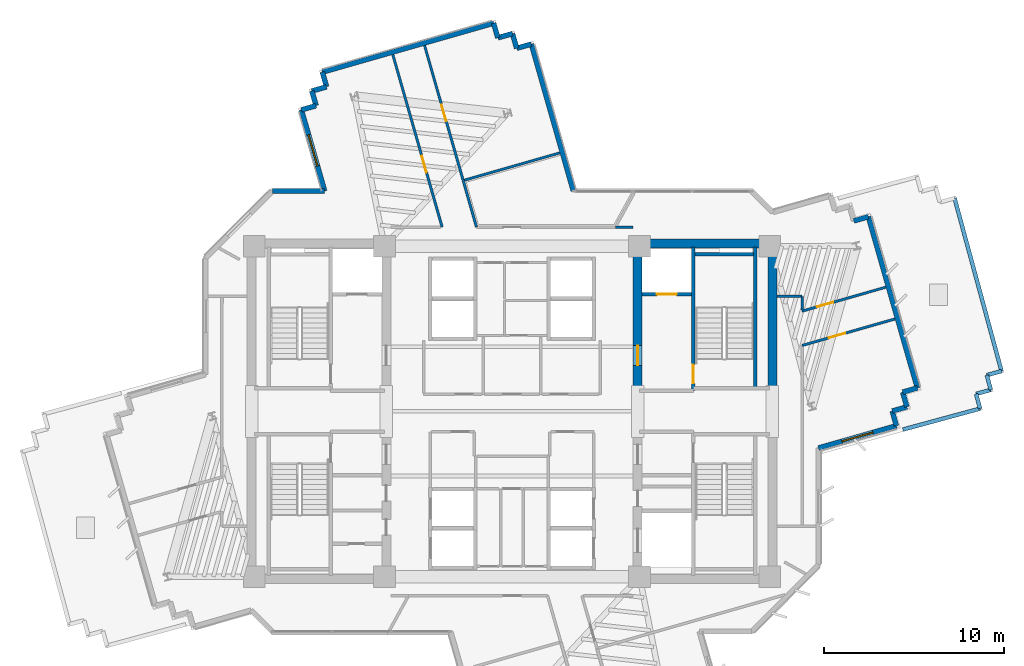
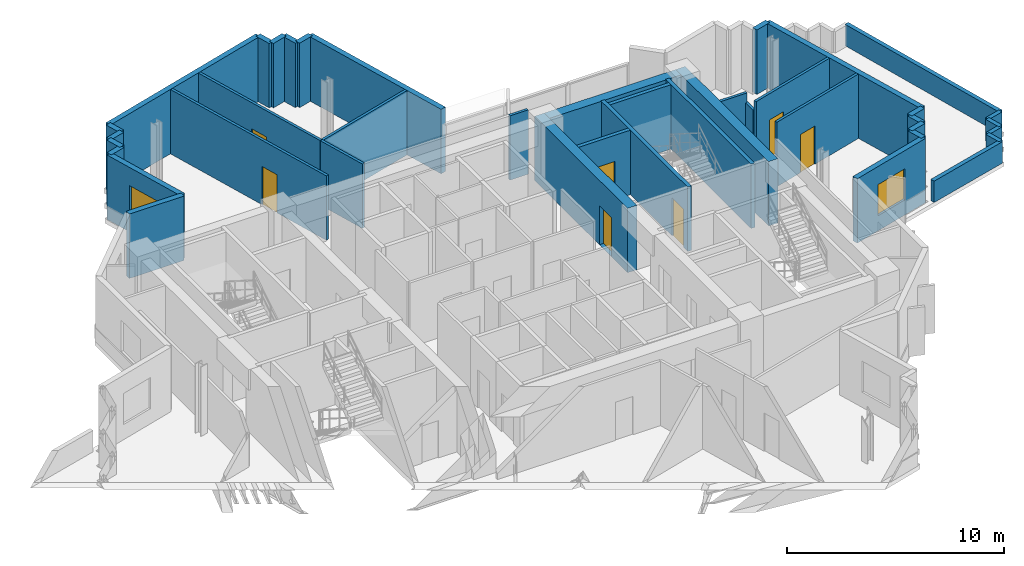
# One storey, part 10 of 14: 41 walls, 7 doors, 2 windows, 9 openings.
"""IFC4 building model written with IfcOpenShell, lengths in metres."""

from ifc_helpers import new_model, si_unit, direction, frame, frame_2d, origin, place, context, subcontext, project, spatial, rectangle, extrude, source, transform, mapped, material, layer, layer_set, type_object, element, fill, save


model = new_model("IFC4")

# Units and contexts
model_context = context("Model", 3, precision=1e-05, world=origin(), true_north=direction((0.0, 1.0)))
body_context = subcontext(model_context, "Body", "Model", "MODEL_VIEW")
ifc_project = project(units=[si_unit("LENGTHUNIT", "METRE"), si_unit("AREAUNIT", "SQUARE_METRE"), si_unit("VOLUMEUNIT", "CUBIC_METRE"), si_unit("PLANEANGLEUNIT", "RADIAN"), si_unit("MASSUNIT", "GRAM", prefix="KILO")], contexts=[model_context])

# Site, building, storey
site_placement = place(None, origin())
site = spatial("IfcSite", under=ifc_project, at=site_placement, CompositionType="ELEMENT")
building_placement = place(site_placement, origin())
building = spatial("IfcBuilding", under=site, at=building_placement, Name="Zahravan Cultural Tower", CompositionType="ELEMENT")
storey_placement = place(building_placement, frame((0.0, 0.0, 201.89990234375)))
storey = spatial("IfcBuildingStorey", under=building, at=storey_placement, Name="L47", CompositionType="ELEMENT", Elevation=201.89990234375)

# Wall, opening, door
ifc_material_1 = material(Name="Concrete C60/75", Category="concrete")
ifc_layer_1 = layer(ifc_material_1, 0.5)
ifc_layer_set_1 = layer_set([ifc_layer_1], Name="Concrete C60/75")
wall_type_1 = type_object("IfcWallType", Name="CW-SHEAR-500-C60", PredefinedType="SHEAR", material=ifc_layer_set_1)
wall_1_placement = place(storey_placement, frame((43.0, 28.050048828125, 0.0), z_axis=(0.0, 0.0, 1.0), x_axis=(0.0, 1.0, 0.0)))
wall_1 = element("IfcWall", 1, at=wall_1_placement, inside=storey, type_object=wall_type_1, Name="L47 Core Shear Wall CW-E-WN-L47", PredefinedType="SHEAR", context=body_context, shape_type="SweptSolid", body=[
    extrude(rectangle(XDim=8.550048828125, YDim=0.5, at=frame_2d((4.27490234375, 0.0))), origin(), (0.0, 0.0, 1.0), 3.6201171875),
])
opening_1_placement = place(wall_1_placement, frame((1.5, 0.0, 0.0)))
opening_1 = element("IfcOpeningElement", 2, at=opening_1_placement, cuts=wall_1, Name="Opening D-L47-06", PredefinedType="OPENING", context=body_context, shape_type="SweptSolid", body=[
    extrude(rectangle(XDim=1.10009765625, YDim=2.199951171875, at=frame_2d((0.550048828125, 1.10009765625))), frame((0.0, 0.260009765625, 0.0), z_axis=(0.0, -1.0, 0.0), x_axis=(1.0, 0.0, 0.0)), (0.0, 0.0, 1.0), 0.52001953125),
])
ifc_material_2 = material(Name="Steel ASTM A572 Grade 50", Category="steel")
door_type_1 = type_object("IfcDoorType", Name="DR-LOBBY-1100", OperationType="NOTDEFINED", PredefinedType="DOOR", material=ifc_material_2)
shared_shape_1 = source(origin(), body_context, "Body", "SweptSolid", [
    extrude(rectangle(XDim=1.10009765625, YDim=2.199951171875, at=frame_2d((0.550048828125, 1.10009765625))), frame((0.0, 0.02490234375, 0.0), z_axis=(0.0, -1.0, 0.0), x_axis=(1.0, 0.0, 0.0)), (0.0, 0.0, 1.0), 0.050048828125),
])
door_1_placement = place(opening_1_placement, origin())
door_1 = element("IfcDoor", 3, at=door_1_placement, inside=storey, type_object=door_type_1, Name="L47 Door D-L47-06", OperationType="SINGLE_SWING_RIGHT", OverallHeight=2.199951171875, OverallWidth=1.10009765625, PredefinedType="DOOR", context=body_context, shape_type="MappedRepresentation", body=[
    mapped(shared_shape_1, transform((0.0, 0.0, 0.0), x_axis=(1.0, 0.0, 0.0), y_axis=(0.0, 1.0, 0.0), z_axis=(0.0, 0.0, 1.0), scale=1.0)),
])
fill(opening_1, door_1)

# Wall, opening, window
ifc_material_3 = material(Name="Precast concrete C40/50", Category="concrete")
ifc_layer_2 = layer(ifc_material_3, 0.280029296875)
ifc_layer_set_2 = layer_set([ifc_layer_2], Name="Precast concrete C40/50")
wall_type_2 = type_object("IfcWallType", Name="EW-TC-280", PredefinedType="SOLIDWALL", material=ifc_layer_set_2)
wall_2_placement = place(storey_placement, frame((57.406494140625, 26.195068359375, 0.0), z_axis=(0.0, 0.0, 1.0), x_axis=(-0.961446468673, -0.274992159663, 0.0)))
wall_2 = element("IfcWall", 4, at=wall_2_placement, inside=storey, type_object=wall_type_2, Name="L47 Exterior Masonry Frame Wall 11", PredefinedType="SOLIDWALL", context=body_context, shape_type="SweptSolid", body=[
    extrude(rectangle(XDim=4.520751953125, YDim=0.280029296875, at=frame_2d((2.26025390625, 0.0))), origin(), (0.0, 0.0, 1.0), 3.6201171875),
])
opening_2_placement = place(wall_2_placement, frame((1.360107421875, 0.0, 0.85009765625)))
opening_2 = element("IfcOpeningElement", 5, at=opening_2_placement, cuts=wall_2, Name="Opening WN-02", PredefinedType="OPENING", context=body_context, shape_type="SweptSolid", body=[
    extrude(rectangle(XDim=1.800048828125, YDim=1.75, at=frame_2d((0.89990234375, 0.875))), frame((0.0, 0.14990234375, 0.0), z_axis=(0.0, -1.0, 0.0), x_axis=(1.0, 0.0, 0.0)), (0.0, 0.0, 1.0), 0.300048828125),
])
ifc_material_4 = material(Name="Low-E solar-control double glazing", Category="glass")
window_type = type_object("IfcWindowType", Name="WN-REC-1800X1750", PartitioningType="DOUBLE_PANEL_VERTICAL", PredefinedType="WINDOW", material=ifc_material_4)
shared_shape_2 = source(origin(), body_context, "Body", "SweptSolid", [
    extrude(rectangle(XDim=1.800048828125, YDim=1.75, at=frame_2d((0.89990234375, 0.875))), frame((0.0, 0.030029296875, 0.0), z_axis=(0.0, -1.0, 0.0), x_axis=(1.0, 0.0, 0.0)), (0.0, 0.0, 1.0), 0.06005859375),
])
window_1_placement = place(opening_2_placement, origin())
window_1 = element("IfcWindow", 6, at=window_1_placement, inside=storey, type_object=window_type, Name="L47 Recessed Solar Window 01", OverallHeight=1.75, OverallWidth=1.800048828125, PartitioningType="DOUBLE_PANEL_VERTICAL", PredefinedType="WINDOW", context=body_context, shape_type="MappedRepresentation", body=[
    mapped(shared_shape_2, transform((0.0, 0.0, 0.0), x_axis=(1.0, 0.0, 0.0), y_axis=(0.0, 1.0, 0.0), z_axis=(0.0, 0.0, 1.0), scale=1.0)),
])
fill(opening_2, window_1)

wall_3_placement = place(storey_placement, frame((25.56689453125, 39.260009765625, 0.0), z_axis=(0.0, 0.0, 1.0), x_axis=(-0.274981611661, 0.961449485542, 0.0)))
wall_3 = element("IfcWall", 7, at=wall_3_placement, inside=storey, type_object=wall_type_2, Name="L47 Exterior Masonry Frame Wall 41", PredefinedType="SOLIDWALL", context=body_context, shape_type="SweptSolid", body=[
    extrude(rectangle(XDim=4.703857421875, YDim=0.280029296875, at=frame_2d((2.35205078125, 0.0))), origin(), (0.0, 0.0, 1.0), 3.6201171875),
])
opening_3_placement = place(wall_3_placement, frame((1.451904296875, 0.0, 0.85009765625)))
opening_3 = element("IfcOpeningElement", 8, at=opening_3_placement, cuts=wall_3, Name="Opening WN-02", PredefinedType="OPENING", context=body_context, shape_type="SweptSolid", body=[
    extrude(rectangle(XDim=1.800048828125, YDim=1.75, at=frame_2d((0.89990234375, 0.875))), frame((0.0, 0.14990234375, 0.0), z_axis=(0.0, -1.0, 0.0), x_axis=(1.0, 0.0, 0.0)), (0.0, 0.0, 1.0), 0.300048828125),
])
window_2_placement = place(opening_3_placement, origin())
window_2 = element("IfcWindow", 9, at=window_2_placement, inside=storey, type_object=window_type, Name="L47 Recessed Solar Window 08", OverallHeight=1.75, OverallWidth=1.800048828125, PartitioningType="DOUBLE_PANEL_VERTICAL", PredefinedType="WINDOW", context=body_context, shape_type="MappedRepresentation", body=[
    mapped(shared_shape_2, transform((0.0, 0.0, 0.0), x_axis=(1.0, 0.0, 0.0), y_axis=(0.0, 1.0, 0.0), z_axis=(0.0, 0.0, 1.0), scale=1.0)),
])
fill(opening_3, window_2)

# Wall, opening, door
ifc_material_5 = material(Name="Gypsum plasterboard partition")
ifc_layer_3 = layer(ifc_material_5, 0.139892578125)
ifc_layer_set_3 = layer_set([ifc_layer_3], Name="Gypsum plasterboard partition")
wall_type_3 = type_object("IfcWallType", Name="W-PART-140", PredefinedType="PARTITIONING", material=ifc_layer_set_3)
wall_4_placement = place(storey_placement, frame((33.277099609375, 39.8671875, 0.0), z_axis=(0.0, 0.0, 1.0), x_axis=(-0.274985856522, 0.96144827147, 0.0)))
wall_4 = element("IfcWall", 10, at=wall_4_placement, inside=storey, type_object=wall_type_3, Name="L47 Interior Wall 102", PredefinedType="PARTITIONING", context=body_context, shape_type="SweptSolid", body=[
    extrude(rectangle(XDim=7.795166015625, YDim=0.139892578125, at=frame_2d((3.8974609375, 0.0))), origin(), (0.0, 0.0, 1.0), 3.6201171875),
])
opening_4_placement = place(wall_4_placement, frame((3.422607421875, 0.0, 0.0)))
opening_4 = element("IfcOpeningElement", 11, at=opening_4_placement, cuts=wall_4, Name="Opening D-L47-26", PredefinedType="OPENING", context=body_context, shape_type="SweptSolid", body=[
    extrude(rectangle(XDim=0.949951171875, YDim=2.14990234375, at=frame_2d((0.47509765625, 1.074951171875))), frame((0.0, 0.079833984375, 0.0), z_axis=(0.0, -1.0, 0.0), x_axis=(1.0, 0.0, 0.0)), (0.0, 0.0, 1.0), 0.159912109375),
])
ifc_material_6 = material(Name="Anodised bronze-aluminium mullion", Category="aluminium")
door_type_2 = type_object("IfcDoorType", Name="DR-ROOM-950", OperationType="NOTDEFINED", PredefinedType="DOOR", material=ifc_material_6)
shared_shape_3 = source(origin(), body_context, "Body", "SweptSolid", [
    extrude(rectangle(XDim=0.949951171875, YDim=2.14990234375, at=frame_2d((0.47509765625, 1.074951171875))), frame((0.0, 0.02490234375, 0.0), z_axis=(0.0, -1.0, 0.0), x_axis=(1.0, 0.0, 0.0)), (0.0, 0.0, 1.0), 0.050048828125),
])
door_2_placement = place(opening_4_placement, origin())
door_2 = element("IfcDoor", 12, at=door_2_placement, inside=storey, type_object=door_type_2, Name="L47 Door D-L47-26", OperationType="SINGLE_SWING_RIGHT", OverallHeight=2.14990234375, OverallWidth=0.949951171875, PredefinedType="DOOR", context=body_context, shape_type="MappedRepresentation", body=[
    mapped(shared_shape_3, transform((0.0, 0.0, 0.0), x_axis=(1.0, 0.0, 0.0), y_axis=(0.0, 1.0, 0.0), z_axis=(0.0, 0.0, 1.0), scale=1.0)),
])
fill(opening_4, door_2)

wall_5_placement = place(storey_placement, frame((52.14990234375, 30.661865234375, 0.0), z_axis=(0.0, 0.0, 1.0), x_axis=(0.961455430103, 0.274960826164, 0.0)))
wall_5 = element("IfcWall", 13, at=wall_5_placement, inside=storey, type_object=wall_type_3, Name="L47 Interior Wall 110", PredefinedType="PARTITIONING", context=body_context, shape_type="SweptSolid", body=[
    extrude(rectangle(XDim=5.380859375, YDim=0.139892578125, at=frame_2d((2.6904296875, 0.0))), origin(), (0.0, 0.0, 1.0), 3.6201171875),
])
opening_5_placement = place(wall_5_placement, frame((1.55078125, 0.0, 0.0)))
opening_5 = element("IfcOpeningElement", 14, at=opening_5_placement, cuts=wall_5, Name="Opening D-L47-23", PredefinedType="OPENING", context=body_context, shape_type="SweptSolid", body=[
    extrude(rectangle(XDim=0.949951171875, YDim=2.14990234375, at=frame_2d((0.47509765625, 1.074951171875))), frame((0.0, 0.079833984375, 0.0), z_axis=(0.0, -1.0, 0.0), x_axis=(1.0, 0.0, 0.0)), (0.0, 0.0, 1.0), 0.159912109375),
])
door_3_placement = place(opening_5_placement, origin())
door_3 = element("IfcDoor", 15, at=door_3_placement, inside=storey, type_object=door_type_2, Name="L47 Door D-L47-23", OperationType="SINGLE_SWING_LEFT", OverallHeight=2.14990234375, OverallWidth=0.949951171875, PredefinedType="DOOR", context=body_context, shape_type="MappedRepresentation", body=[
    mapped(shared_shape_3, transform((0.0, 0.0, 0.0), x_axis=(1.0, 0.0, 0.0), y_axis=(0.0, 1.0, 0.0), z_axis=(0.0, 0.0, 1.0), scale=1.0)),
])
fill(opening_5, door_3)

wall_6_placement = place(storey_placement, frame((56.8173828125, 33.910400390625, 0.0), z_axis=(0.0, 0.0, 1.0), x_axis=(-0.961461296262, -0.274940313143, 0.0)))
wall_6 = element("IfcWall", 16, at=wall_6_placement, inside=storey, type_object=wall_type_3, Name="L47 Interior Wall 112", PredefinedType="PARTITIONING", context=body_context, shape_type="SweptSolid", body=[
    extrude(rectangle(XDim=4.8544921875, YDim=0.139892578125, at=frame_2d((2.42724609375, 0.0))), origin(), (0.0, 0.0, 1.0), 3.6201171875),
])
opening_6_placement = place(wall_6_placement, frame((3.04541015625, 0.0, 0.0)))
opening_6 = element("IfcOpeningElement", 17, at=opening_6_placement, cuts=wall_6, Name="Opening D-L47-24", PredefinedType="OPENING", context=body_context, shape_type="SweptSolid", body=[
    extrude(rectangle(XDim=0.949951171875, YDim=2.14990234375, at=frame_2d((0.47509765625, 1.074951171875))), frame((0.0, 0.079833984375, 0.0), z_axis=(0.0, -1.0, 0.0), x_axis=(1.0, 0.0, 0.0)), (0.0, 0.0, 1.0), 0.159912109375),
])
door_4_placement = place(opening_6_placement, origin())
door_4 = element("IfcDoor", 18, at=door_4_placement, inside=storey, type_object=door_type_2, Name="L47 Door D-L47-24", OperationType="SINGLE_SWING_RIGHT", OverallHeight=2.14990234375, OverallWidth=0.949951171875, PredefinedType="DOOR", context=body_context, shape_type="MappedRepresentation", body=[
    mapped(shared_shape_3, transform((0.0, 0.0, 0.0), x_axis=(1.0, 0.0, 0.0), y_axis=(0.0, 1.0, 0.0), z_axis=(0.0, 0.0, 1.0), scale=1.0)),
])
fill(opening_6, door_4)

wall_7_placement = place(storey_placement, frame((29.364501953125, 46.85595703125, 0.0), z_axis=(0.0, 0.0, 1.0), x_axis=(0.274969885882, -0.961452839123, 0.0)))
wall_7 = element("IfcWall", 19, at=wall_7_placement, inside=storey, type_object=wall_type_3, Name="L47 Interior Wall 120", PredefinedType="PARTITIONING", context=body_context, shape_type="SweptSolid", body=[
    extrude(rectangle(XDim=9.980712890625, YDim=0.139892578125, at=frame_2d((4.990234375, 0.0))), origin(), (0.0, 0.0, 1.0), 3.6201171875),
])
opening_7_placement = place(wall_7_placement, frame((5.869873046875, 0.0, 0.0)))
opening_7 = element("IfcOpeningElement", 20, at=opening_7_placement, cuts=wall_7, Name="Opening D-L47-27", PredefinedType="OPENING", context=body_context, shape_type="SweptSolid", body=[
    extrude(rectangle(XDim=0.949951171875, YDim=2.14990234375, at=frame_2d((0.47509765625, 1.074951171875))), frame((0.0, 0.079833984375, 0.0), z_axis=(0.0, -1.0, 0.0), x_axis=(1.0, 0.0, 0.0)), (0.0, 0.0, 1.0), 0.159912109375),
])
door_5_placement = place(opening_7_placement, origin())
door_5 = element("IfcDoor", 21, at=door_5_placement, inside=storey, type_object=door_type_2, Name="L47 Door D-L47-27", OperationType="SINGLE_SWING_LEFT", OverallHeight=2.14990234375, OverallWidth=0.949951171875, PredefinedType="DOOR", context=body_context, shape_type="MappedRepresentation", body=[
    mapped(shared_shape_3, transform((0.0, 0.0, 0.0), x_axis=(1.0, 0.0, 0.0), y_axis=(0.0, 1.0, 0.0), z_axis=(0.0, 0.0, 1.0), scale=1.0)),
])
fill(opening_7, door_5)

ifc_material_7 = material(Name="Concrete C45/55", Category="concrete")
ifc_layer_4 = layer(ifc_material_7, 0.199951171875)
ifc_layer_set_4 = layer_set([ifc_layer_4], Name="Concrete C45/55")
wall_type_4 = type_object("IfcWallType", Name="W-SHAFT-200", PredefinedType="SOLIDWALL", material=ifc_layer_set_4)
wall_8_placement = place(storey_placement, frame((46.10009765625, 28.14990234375, 0.0), z_axis=(0.0, 0.0, 1.0), x_axis=(0.0, 1.0, 0.0)))
wall_8 = element("IfcWall", 22, at=wall_8_placement, inside=storey, type_object=wall_type_4, Name="L47 Interior Wall 008", PredefinedType="SOLIDWALL", context=body_context, shape_type="SweptSolid", body=[
    extrude(rectangle(XDim=8.0, YDim=0.199951171875, at=frame_2d((4.0, 0.0))), origin(), (0.0, 0.0, 1.0), 3.6201171875),
])
opening_8_placement = place(wall_8_placement, frame((0.39990234375, 0.0, 0.0)))
opening_8 = element("IfcOpeningElement", 23, at=opening_8_placement, cuts=wall_8, Name="Opening D-L47-02", PredefinedType="OPENING", context=body_context, shape_type="SweptSolid", body=[
    extrude(rectangle(XDim=1.050048828125, YDim=2.14990234375, at=frame_2d((0.52490234375, 1.074951171875))), frame((0.0, 0.10986328125, 0.0), z_axis=(0.0, -1.0, 0.0), x_axis=(1.0, 0.0, 0.0)), (0.0, 0.0, 1.0), 0.219970703125),
])
door_type_3 = type_object("IfcDoorType", Name="DR-STAIR-1050", OperationType="NOTDEFINED", PredefinedType="DOOR", material=ifc_material_2)
shared_shape_4 = source(origin(), body_context, "Body", "SweptSolid", [
    extrude(rectangle(XDim=1.050048828125, YDim=2.14990234375, at=frame_2d((0.52490234375, 1.074951171875))), frame((0.0, 0.02490234375, 0.0), z_axis=(0.0, -1.0, 0.0), x_axis=(1.0, 0.0, 0.0)), (0.0, 0.0, 1.0), 0.050048828125),
])
door_6_placement = place(opening_8_placement, origin())
door_6 = element("IfcDoor", 24, at=door_6_placement, inside=storey, type_object=door_type_3, Name="L47 Door D-L47-02", OperationType="SINGLE_SWING_RIGHT", OverallHeight=2.14990234375, OverallWidth=1.050048828125, PredefinedType="DOOR", context=body_context, shape_type="MappedRepresentation", body=[
    mapped(shared_shape_4, transform((0.0, 0.0, 0.0), x_axis=(1.0, 0.0, 0.0), y_axis=(0.0, 1.0, 0.0), z_axis=(0.0, 0.0, 1.0), scale=1.0)),
])
fill(opening_8, door_6)

wall_9_placement = place(storey_placement, frame((43.25, 33.52001953125, 0.0), z_axis=(0.0, 0.0, 1.0), x_axis=(1.0, 0.0, 0.0)))
wall_9 = element("IfcWall", 25, at=wall_9_placement, inside=storey, type_object=wall_type_4, Name="L47 Interior Wall 022", PredefinedType="SOLIDWALL", context=body_context, shape_type="SweptSolid", body=[
    extrude(rectangle(XDim=2.75, YDim=0.199951171875, at=frame_2d((1.375, 0.0))), origin(), (0.0, 0.0, 1.0), 3.6201171875),
])
opening_9_placement = place(wall_9_placement, frame((0.820068359375, 0.0, 0.0)))
opening_9 = element("IfcOpeningElement", 26, at=opening_9_placement, cuts=wall_9, Name="Opening LD-L47-02", PredefinedType="OPENING", context=body_context, shape_type="SweptSolid", body=[
    extrude(rectangle(XDim=1.10009765625, YDim=2.14990234375, at=frame_2d((0.550048828125, 1.074951171875))), frame((0.0, 0.10986328125, 0.0), z_axis=(0.0, -1.0, 0.0), x_axis=(1.0, 0.0, 0.0)), (0.0, 0.0, 1.0), 0.219970703125),
])
door_type_4 = type_object("IfcDoorType", Name="DR-LIFT-1100", OperationType="DOUBLE_DOOR_SLIDING", PredefinedType="DOOR", material=ifc_material_2)
shared_shape_5 = source(origin(), body_context, "Body", "SweptSolid", [
    extrude(rectangle(XDim=1.10009765625, YDim=2.14990234375, at=frame_2d((0.550048828125, 1.074951171875))), frame((0.0, 0.02490234375, 0.0), z_axis=(0.0, -1.0, 0.0), x_axis=(1.0, 0.0, 0.0)), (0.0, 0.0, 1.0), 0.050048828125),
])
door_7_placement = place(opening_9_placement, origin())
door_7 = element("IfcDoor", 27, at=door_7_placement, inside=storey, type_object=door_type_4, Name="L47 Door LD-L47-02", OperationType="DOUBLE_DOOR_SLIDING", OverallHeight=2.14990234375, OverallWidth=1.10009765625, PredefinedType="DOOR", context=body_context, shape_type="MappedRepresentation", body=[
    mapped(shared_shape_5, transform((0.0, 0.0, 0.0), x_axis=(1.0, 0.0, 0.0), y_axis=(0.0, 1.0, 0.0), z_axis=(0.0, 0.0, 1.0), scale=1.0)),
])
fill(opening_9, door_7)

# Walls
shared_shape_6 = source(origin(), body_context, "Body", "SweptSolid", [
    extrude(rectangle(XDim=8.550048828125, YDim=0.5, at=frame_2d((4.27490234375, 0.0))), origin(), (0.0, 0.0, 1.0), 3.6201171875),
])
wall_10_placement = place(storey_placement, frame((50.5, 28.050048828125, 0.0), z_axis=(0.0, 0.0, 1.0), x_axis=(0.0, 1.0, 0.0)))
element("IfcWall", 28, at=wall_10_placement, inside=storey, type_object=wall_type_1, Name="L47 Core Shear Wall CW-E-EN-L47", PredefinedType="SHEAR", context=body_context, shape_type="MappedRepresentation", body=[
    mapped(shared_shape_6, transform((0.0, 0.0, 0.0), x_axis=(1.0, 0.0, 0.0), y_axis=(0.0, 1.0, 0.0), z_axis=(0.0, 0.0, 1.0), scale=1.0)),
])
shared_shape_7 = source(origin(), body_context, "Body", "SweptSolid", [
    extrude(rectangle(XDim=7.0, YDim=0.5, at=frame_2d((3.5, 0.0))), origin(), (0.0, 0.0, 1.0), 3.6201171875),
])
wall_11_placement = place(storey_placement, frame((43.25, 36.35009765625, 0.0), z_axis=(0.0, 0.0, 1.0), x_axis=(1.0, 0.0, 0.0)))
element("IfcWall", 29, at=wall_11_placement, inside=storey, type_object=wall_type_1, Name="L47 Core Shear Wall CW-E-N-L47", PredefinedType="SHEAR", context=body_context, shape_type="MappedRepresentation", body=[
    mapped(shared_shape_7, transform((0.0, 0.0, 0.0), x_axis=(1.0, 0.0, 0.0), y_axis=(0.0, 1.0, 0.0), z_axis=(0.0, 0.0, 1.0), scale=1.0)),
])
shared_shape_8 = source(origin(), body_context, "Body", "SweptSolid", [
    extrude(rectangle(XDim=0.85009765625, YDim=0.280029296875, at=frame_2d((0.425048828125, 0.0))), origin(), (0.0, 0.0, 1.0), 3.6201171875),
])
for number, where, z_axis, x_axis, name in (
    (30, (25.090576171875, 44.01611328125, 0.0), (0.0, 0.0, 1.0), (-0.274834915789, 0.961491429532, 0.0), "L47 Exterior Masonry Frame Wall 43"),
    (31, (25.674072265625, 45.067138671875, 0.0), (0.0, 0.0, 1.0), (-0.274834915789, 0.961491429532, 0.0), "L47 Exterior Masonry Frame Wall 45"),
    (32, (36.029052734375, 48.028564453125, 0.0), (0.0, 0.0, 1.0), (0.274834915789, -0.961491429532, 0.0), "L47 Exterior Masonry Frame Wall 49"),
):
    element("IfcWall", number, at=place(storey_placement, frame(where, z_axis=z_axis, x_axis=x_axis)), inside=storey, type_object=wall_type_2, Name=name, PredefinedType="SOLIDWALL", context=body_context, shape_type="MappedRepresentation", body=[
        mapped(shared_shape_8, transform((0.0, 0.0, 0.0), x_axis=(1.0, 0.0, 0.0), y_axis=(0.0, 1.0, 0.0), z_axis=(0.0, 0.0, 1.0), scale=1.0)),
    ])
shared_shape_9 = source(origin(), body_context, "Body", "SweptSolid", [
    extrude(rectangle(XDim=0.849853515625, YDim=0.280029296875, at=frame_2d((0.4248046875, 0.0))), origin(), (0.0, 0.0, 1.0), 3.6201171875),
])
for number, where, z_axis, x_axis, name in (
    (33, (55.028564453125, 37.600830078125, 0.0), (0.0, 0.0, 1.0), (0.961393768724, 0.275176346112, 0.0), "L47 Exterior Masonry Frame Wall 05"),
    (34, (58.573486328125, 28.296875, 0.0), (0.0, 0.0, 1.0), (-0.961469728335, -0.274910824624, 0.0), "L47 Exterior Masonry Frame Wall 07"),
    (35, (57.75634765625, 28.063232421875, 0.0), (0.0, 0.0, 1.0), (0.274910824624, -0.961469728335, 0.0), "L47 Exterior Masonry Frame Wall 08"),
    (36, (57.989990234375, 27.24609375, 0.0), (0.0, 0.0, 1.0), (-0.961393768724, -0.275176346112, 0.0), "L47 Exterior Masonry Frame Wall 09"),
    (37, (57.1728515625, 27.01220703125, 0.0), (0.0, 0.0, 1.0), (0.274910824624, -0.961469728335, 0.0), "L47 Exterior Masonry Frame Wall 10"),
    (38, (24.2734375, 43.782470703125, 0.0), (0.0, 0.0, 1.0), (0.961469728335, 0.274910824624, 0.0), "L47 Exterior Masonry Frame Wall 42"),
    (39, (24.85693359375, 44.83349609375, 0.0), (0.0, 0.0, 1.0), (0.961469728335, 0.274910824624, 0.0), "L47 Exterior Masonry Frame Wall 44"),
    (40, (34.97802734375, 48.612060546875, 0.0), (0.0, 0.0, 1.0), (0.275176346112, -0.961393768724, 0.0), "L47 Exterior Masonry Frame Wall 47"),
    (41, (35.2119140625, 47.794921875, 0.0), (0.0, 0.0, 1.0), (0.961469728335, 0.274910824624, 0.0), "L47 Exterior Masonry Frame Wall 48"),
    (42, (36.2626953125, 47.211181640625, 0.0), (0.0, 0.0, 1.0), (0.961393768724, 0.275176346112, 0.0), "L47 Exterior Masonry Frame Wall 50"),
):
    element("IfcWall", number, at=place(storey_placement, frame(where, z_axis=z_axis, x_axis=x_axis)), inside=storey, type_object=wall_type_2, Name=name, PredefinedType="SOLIDWALL", context=body_context, shape_type="MappedRepresentation", body=[
        mapped(shared_shape_9, transform((0.0, 0.0, 0.0), x_axis=(1.0, 0.0, 0.0), y_axis=(0.0, 1.0, 0.0), z_axis=(0.0, 0.0, 1.0), scale=1.0)),
    ])
shared_shape_10 = source(origin(), body_context, "Body", "SweptSolid", [
    extrude(rectangle(XDim=9.919921875, YDim=0.280029296875, at=frame_2d((4.9599609375, 0.0))), origin(), (0.0, 0.0, 1.0), 3.6201171875),
])
wall_12_placement = place(storey_placement, frame((25.4404296875, 45.884521484375, 0.0), z_axis=(0.0, 0.0, 1.0), x_axis=(0.961457051276, 0.274955157346, 0.0)))
element("IfcWall", 43, at=wall_12_placement, inside=storey, type_object=wall_type_2, Name="L47 Exterior Masonry Frame Wall 46", PredefinedType="SOLIDWALL", context=body_context, shape_type="MappedRepresentation", body=[
    mapped(shared_shape_10, transform((0.0, 0.0, 0.0), x_axis=(1.0, 0.0, 0.0), y_axis=(0.0, 1.0, 0.0), z_axis=(0.0, 0.0, 1.0), scale=1.0)),
])
shared_shape_11 = source(origin(), body_context, "Body", "SweptSolid", [
    extrude(rectangle(XDim=9.920166015625, YDim=0.280029296875, at=frame_2d((4.9599609375, 0.0))), origin(), (0.0, 0.0, 1.0), 3.6201171875),
])
wall_13_placement = place(storey_placement, frame((55.845703125, 37.834716796875, 0.0), z_axis=(0.0, 0.0, 1.0), x_axis=(0.274971401171, -0.961452405758, 0.0)))
element("IfcWall", 44, at=wall_13_placement, inside=storey, type_object=wall_type_2, Name="L47 Exterior Masonry Frame Wall 06", PredefinedType="SOLIDWALL", context=body_context, shape_type="MappedRepresentation", body=[
    mapped(shared_shape_11, transform((0.0, 0.0, 0.0), x_axis=(1.0, 0.0, 0.0), y_axis=(0.0, 1.0, 0.0), z_axis=(0.0, 0.0, 1.0), scale=1.0)),
])
ifc_layer_5 = layer(ifc_material_3, 0.219970703125)
ifc_layer_set_5 = layer_set([ifc_layer_5], Name="Precast concrete C40/50")
wall_type_5 = type_object("IfcWallType", Name="EW-PARAPET-220", PredefinedType="PARAPET", material=ifc_layer_set_5)
shared_shape_12 = source(origin(), body_context, "Body", "SweptSolid", [
    extrude(rectangle(XDim=0.85009765625, YDim=0.219970703125, at=frame_2d((0.425048828125, 0.0))), origin(), (0.0, 0.0, 1.0), 1.2001953125),
])
for number, where, z_axis, x_axis, name in (
    (45, (63.257568359375, 29.23486328125, 0.0), (0.0, 0.0, 1.0), (-0.965008631059, -0.262218119094, 0.0), "L47 Setback Roof Parapet 7"),
    (46, (62.437255859375, 29.011962890625, 0.0), (0.0, 0.0, 1.0), (0.262218119094, -0.965008631059, 0.0), "L47 Setback Roof Parapet 8"),
    (47, (62.66015625, 28.191650390625, 0.0), (0.0, 0.0, 1.0), (-0.965008631059, -0.262218119094, 0.0), "L47 Setback Roof Parapet 9"),
):
    element("IfcWall", number, at=place(storey_placement, frame(where, z_axis=z_axis, x_axis=x_axis)), inside=storey, type_object=wall_type_5, Name=name, PredefinedType="PARAPET", context=body_context, shape_type="MappedRepresentation", body=[
        mapped(shared_shape_12, transform((0.0, 0.0, 0.0), x_axis=(1.0, 0.0, 0.0), y_axis=(0.0, 1.0, 0.0), z_axis=(0.0, 0.0, 1.0), scale=1.0)),
    ])
shared_shape_13 = source(origin(), body_context, "Body", "SweptSolid", [
    extrude(rectangle(XDim=9.97998046875, YDim=0.219970703125, at=frame_2d((4.989990234375, 0.0))), origin(), (0.0, 0.0, 1.0), 1.2001953125),
])
wall_14_placement = place(storey_placement, frame((60.64111328125, 38.86572265625, 0.0), z_axis=(0.0, 0.0, 1.0), x_axis=(0.262171309089, -0.965021349345, 0.0)))
element("IfcWall", 48, at=wall_14_placement, inside=storey, type_object=wall_type_5, Name="L47 Setback Roof Parapet 6", PredefinedType="PARAPET", context=body_context, shape_type="MappedRepresentation", body=[
    mapped(shared_shape_13, transform((0.0, 0.0, 0.0), x_axis=(1.0, 0.0, 0.0), y_axis=(0.0, 1.0, 0.0), z_axis=(0.0, 0.0, 1.0), scale=1.0)),
])
shared_shape_14 = source(origin(), body_context, "Body", "SweptSolid", [
    extrude(rectangle(XDim=0.849853515625, YDim=0.219970703125, at=frame_2d((0.4248046875, 0.0))), origin(), (0.0, 0.0, 1.0), 1.2001953125),
])
wall_15_placement = place(storey_placement, frame((61.83984375, 27.96875, 0.0), z_axis=(0.0, 0.0, 1.0), x_axis=(0.262290813628, -0.96498887511, 0.0)))
element("IfcWall", 49, at=wall_15_placement, inside=storey, type_object=wall_type_5, Name="L47 Setback Roof Parapet 10", PredefinedType="PARAPET", context=body_context, shape_type="MappedRepresentation", body=[
    mapped(shared_shape_14, transform((0.0, 0.0, 0.0), x_axis=(1.0, 0.0, 0.0), y_axis=(0.0, 1.0, 0.0), z_axis=(0.0, 0.0, 1.0), scale=1.0)),
])
shared_shape_15 = source(origin(), body_context, "Body", "SweptSolid", [
    extrude(rectangle(XDim=4.45361328125, YDim=0.219970703125, at=frame_2d((2.226806640625, 0.0))), origin(), (0.0, 0.0, 1.0), 1.2001953125),
])
wall_16_placement = place(storey_placement, frame((62.062744140625, 27.148681640625, 0.0), z_axis=(0.0, 0.0, 1.0), x_axis=(-0.965015120543, -0.262194235489, 0.0)))
element("IfcWall", 50, at=wall_16_placement, inside=storey, type_object=wall_type_5, Name="L47 Setback Roof Parapet 11", PredefinedType="PARAPET", context=body_context, shape_type="MappedRepresentation", body=[
    mapped(shared_shape_15, transform((0.0, 0.0, 0.0), x_axis=(1.0, 0.0, 0.0), y_axis=(0.0, 1.0, 0.0), z_axis=(0.0, 0.0, 1.0), scale=1.0)),
])
shared_shape_16 = source(origin(), body_context, "Body", "SweptSolid", [
    extrude(rectangle(XDim=2.908935546875, YDim=0.280029296875, at=frame_2d((1.45458984375, 0.0))), origin(), (0.0, 0.0, 1.0), 3.6201171875),
])
wall_17_placement = place(storey_placement, frame((22.657958984375, 39.260009765625, 0.0), z_axis=(0.0, 0.0, 1.0), x_axis=(1.0, 0.0, 0.0)))
element("IfcWall", 51, at=wall_17_placement, inside=storey, type_object=wall_type_2, Name="L47 Exterior Masonry Frame Wall 40", PredefinedType="SOLIDWALL", context=body_context, shape_type="MappedRepresentation", body=[
    mapped(shared_shape_16, transform((0.0, 0.0, 0.0), x_axis=(1.0, 0.0, 0.0), y_axis=(0.0, 1.0, 0.0), z_axis=(0.0, 0.0, 1.0), scale=1.0)),
])
shared_shape_17 = source(origin(), body_context, "Body", "SweptSolid", [
    extrude(rectangle(XDim=8.51318359375, YDim=0.280029296875, at=frame_2d((4.256591796875, 0.0))), origin(), (0.0, 0.0, 1.0), 3.6201171875),
])
wall_18_placement = place(storey_placement, frame((37.079833984375, 47.445068359375, 0.0), z_axis=(0.0, 0.0, 1.0), x_axis=(0.27496352843, -0.961454657295, 0.0)))
element("IfcWall", 52, at=wall_18_placement, inside=storey, type_object=wall_type_2, Name="L47 Exterior Masonry Frame Wall 51", PredefinedType="SOLIDWALL", context=body_context, shape_type="MappedRepresentation", body=[
    mapped(shared_shape_17, transform((0.0, 0.0, 0.0), x_axis=(1.0, 0.0, 0.0), y_axis=(0.0, 1.0, 0.0), z_axis=(0.0, 0.0, 1.0), scale=1.0)),
])
shared_shape_18 = source(origin(), body_context, "Body", "SweptSolid", [
    extrude(rectangle(XDim=7.869873046875, YDim=0.199951171875, at=frame_2d((3.93505859375, 0.0))), origin(), (0.0, 0.0, 1.0), 3.6201171875),
])
wall_19_placement = place(storey_placement, frame((49.550048828125, 28.280029296875, 0.0), z_axis=(0.0, 0.0, 1.0), x_axis=(0.0, 1.0, 0.0)))
element("IfcWall", 53, at=wall_19_placement, inside=storey, type_object=wall_type_4, Name="L47 Interior Wall 004", PredefinedType="SOLIDWALL", context=body_context, shape_type="MappedRepresentation", body=[
    mapped(shared_shape_18, transform((0.0, 0.0, 0.0), x_axis=(1.0, 0.0, 0.0), y_axis=(0.0, 1.0, 0.0), z_axis=(0.0, 0.0, 1.0), scale=1.0)),
])
shared_shape_19 = source(origin(), body_context, "Body", "SweptSolid", [
    extrude(rectangle(XDim=3.25, YDim=0.199951171875, at=frame_2d((1.625, 0.0))), origin(), (0.0, 0.0, 1.0), 3.6201171875),
])
wall_20_placement = place(storey_placement, frame((46.199951171875, 35.75, 0.0), z_axis=(0.0, 0.0, 1.0), x_axis=(1.0, 0.0, 0.0)))
element("IfcWall", 54, at=wall_20_placement, inside=storey, type_object=wall_type_4, Name="L47 Interior Wall 018", PredefinedType="SOLIDWALL", context=body_context, shape_type="MappedRepresentation", body=[
    mapped(shared_shape_19, transform((0.0, 0.0, 0.0), x_axis=(1.0, 0.0, 0.0), y_axis=(0.0, 1.0, 0.0), z_axis=(0.0, 0.0, 1.0), scale=1.0)),
])
shared_shape_20 = source(origin(), body_context, "Body", "SweptSolid", [
    extrude(rectangle(XDim=1.39404296875, YDim=0.139892578125, at=frame_2d((0.697021484375, 0.0))), origin(), (0.0, 0.0, 1.0), 3.6201171875),
])
wall_21_placement = place(storey_placement, frame((52.14892578125, 33.39892578125, 0.0), z_axis=(0.0, 0.0, 1.0), x_axis=(-0.999999754632, 0.000700525222, 0.0)))
element("IfcWall", 55, at=wall_21_placement, inside=storey, type_object=wall_type_3, Name="L47 Interior Wall 114", PredefinedType="PARTITIONING", context=body_context, shape_type="MappedRepresentation", body=[
    mapped(shared_shape_20, transform((0.0, 0.0, 0.0), x_axis=(1.0, 0.0, 0.0), y_axis=(0.0, 1.0, 0.0), z_axis=(0.0, 0.0, 1.0), scale=1.0)),
])
shared_shape_21 = source(origin(), body_context, "Body", "SweptSolid", [
    extrude(rectangle(XDim=2.691650390625, YDim=0.139892578125, at=frame_2d((1.345703125, 0.0))), origin(), (0.0, 0.0, 1.0), 3.6201171875),
])
wall_22_placement = place(storey_placement, frame((34.022705078125, 37.260009765625, 0.0), z_axis=(0.0, 0.0, 1.0), x_axis=(-0.27500862401, 0.961441759401, 0.0)))
element("IfcWall", 56, at=wall_22_placement, inside=storey, type_object=wall_type_3, Name="L47 Interior Wall 093", PredefinedType="PARTITIONING", context=body_context, shape_type="MappedRepresentation", body=[
    mapped(shared_shape_21, transform((0.0, 0.0, 0.0), x_axis=(1.0, 0.0, 0.0), y_axis=(0.0, 1.0, 0.0), z_axis=(0.0, 0.0, 1.0), scale=1.0)),
])
shared_shape_22 = source(origin(), body_context, "Body", "SweptSolid", [
    extrude(rectangle(XDim=5.520263671875, YDim=0.139892578125, at=frame_2d((2.76025390625, 0.0))), origin(), (0.0, 0.0, 1.0), 3.6201171875),
])
wall_23_placement = place(storey_placement, frame((33.3544921875, 39.86865234375, 0.0), z_axis=(0.0, 0.0, 1.0), x_axis=(0.961455490798, 0.274960613933, 0.0)))
element("IfcWall", 57, at=wall_23_placement, inside=storey, type_object=wall_type_3, Name="L47 Interior Wall 094", PredefinedType="PARTITIONING", context=body_context, shape_type="MappedRepresentation", body=[
    mapped(shared_shape_22, transform((0.0, 0.0, 0.0), x_axis=(1.0, 0.0, 0.0), y_axis=(0.0, 1.0, 0.0), z_axis=(0.0, 0.0, 1.0), scale=1.0)),
])
shared_shape_23 = source(origin(), body_context, "Body", "SweptSolid", [
    extrude(rectangle(XDim=0.97216796875, YDim=0.139892578125, at=frame_2d((0.486083984375, 0.0))), origin(), (0.0, 0.0, 1.0), 3.6201171875),
])
wall_24_placement = place(storey_placement, frame((42.74755859375, 37.25927734375, 0.0), z_axis=(0.0, 0.0, 1.0), x_axis=(-0.999999716202, 0.000753390042, 0.0)))
element("IfcWall", 58, at=wall_24_placement, inside=storey, type_object=wall_type_3, Name="L47 Interior Wall 111", PredefinedType="PARTITIONING", context=body_context, shape_type="MappedRepresentation", body=[
    mapped(shared_shape_23, transform((0.0, 0.0, 0.0), x_axis=(1.0, 0.0, 0.0), y_axis=(0.0, 1.0, 0.0), z_axis=(0.0, 0.0, 1.0), scale=1.0)),
])
shared_shape_24 = source(origin(), body_context, "Body", "SweptSolid", [
    extrude(rectangle(XDim=0.745361328125, YDim=0.139892578125, at=frame_2d((0.37255859375, 0.0))), origin(), (0.0, 0.0, 1.0), 3.0791015625),
])
wall_25_placement = place(storey_placement, frame((52.14990234375, 32.653564453125, 0.0), z_axis=(0.0, 0.0, 1.0), x_axis=(-0.001310185577, 0.999999141707, 0.0)))
element("IfcWall", 59, at=wall_25_placement, inside=storey, type_object=wall_type_3, Name="L47 Interior Wall 113", PredefinedType="PARTITIONING", context=body_context, shape_type="MappedRepresentation", body=[
    mapped(shared_shape_24, transform((0.0, 0.0, 0.0), x_axis=(1.0, 0.0, 0.0), y_axis=(0.0, 1.0, 0.0), z_axis=(0.0, 0.0, 1.0), scale=1.0)),
])

save(model, "model.ifc")
